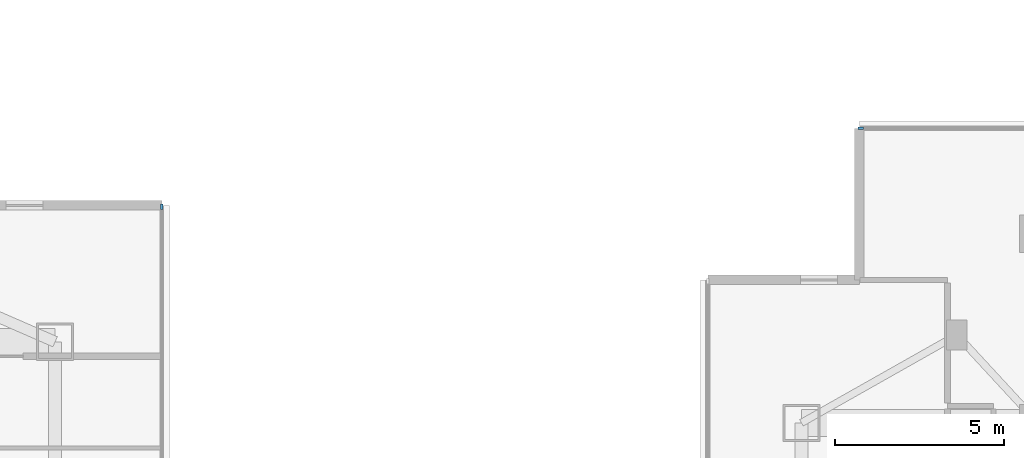
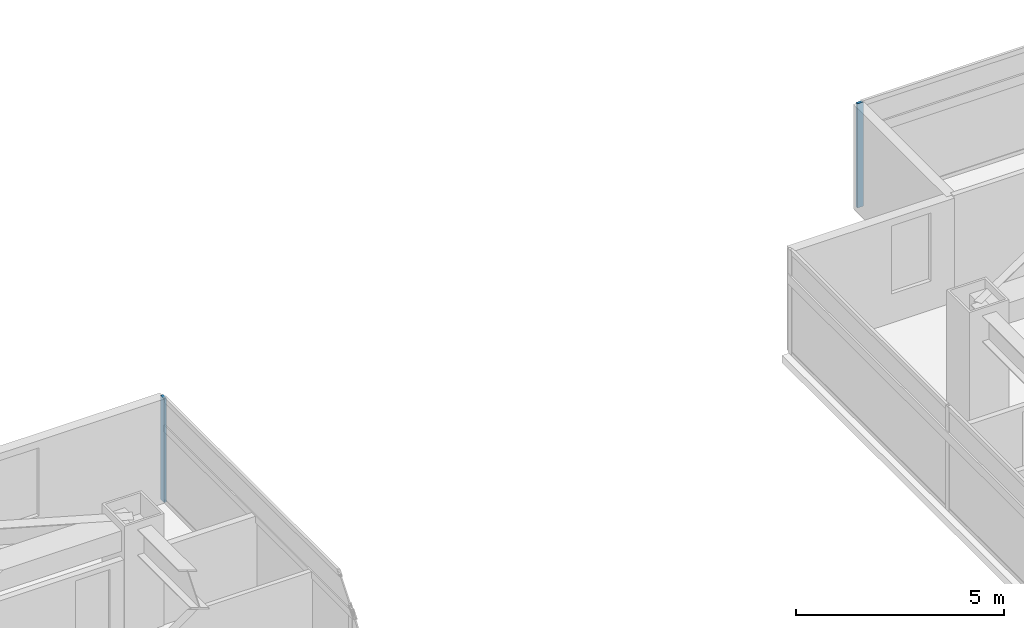
# One storey, part 7 of 24: 2 members, 2 elements without a shape of their own.
"""IFC4 building model written with IfcOpenShell, lengths in metres."""

from ifc_helpers import new_model, si_unit, direction, frame, origin, origin_2d, place, context, subcontext, project, spatial, rectangle, extrude, material, material_profile, profile_set, type_object, element, aggregate, save


model = new_model("IFC4")

# Units and contexts
model_context = context("Model", 3, precision=1e-05, world=origin(), true_north=direction((0.0, 1.0)))
body_context = subcontext(model_context, "Body", "Model", "MODEL_VIEW")
ifc_project = project(units=[si_unit("LENGTHUNIT", "METRE"), si_unit("AREAUNIT", "SQUARE_METRE"), si_unit("VOLUMEUNIT", "CUBIC_METRE"), si_unit("PLANEANGLEUNIT", "RADIAN"), si_unit("MASSUNIT", "GRAM", prefix="KILO")], contexts=[model_context])

# Site, building, storey
site_placement = place(None, origin())
site = spatial("IfcSite", under=ifc_project, at=site_placement, CompositionType="ELEMENT")
building_placement = place(site_placement, origin())
building = spatial("IfcBuilding", under=site, at=building_placement, Name="Mirazonda Arch Towers", CompositionType="ELEMENT")
storey_placement = place(building_placement, frame((0.0, 0.0, 137.89990234375)))
storey = spatial("IfcBuildingStorey", under=building, at=storey_placement, Name="L39", CompositionType="ELEMENT", Elevation=137.89990234375)

# Curtain wall, member
ifc_material_1 = material(Name="Anodised Aluminium and Low-E Glass", Category="aluminium")
curtain_wall_type = type_object("IfcCurtainWallType", Name="CW-HTL-UNIT", PredefinedType="NOTDEFINED", material=ifc_material_1)
curtain_wall_1_placement = place(storey_placement, origin())
curtain_wall_1 = element("IfcCurtainWall", 1, at=curtain_wall_1_placement, inside=storey, type_object=curtain_wall_type, Name="L39 T1 E Facade CW-L39-T1-E", PredefinedType="NOTDEFINED")
ifc_material_2 = material(Name="Anodised Aluminium Alloy", Category="aluminium")
ifc_material_profile = material_profile(ifc_material_2, rectangle(XDim=0.074951171875, YDim=0.1650390625, at=origin_2d()), Name="ALU-MULL-75x165")
ifc_profile_set = profile_set([ifc_material_profile], Name="Anodised Aluminium Alloy")
member_type = type_object("IfcMemberType", Name="MULL-CW-HTL-UNIT", PredefinedType="MULLION", material=ifc_profile_set)
member_1_placement = place(storey_placement, frame((42.06005859375, 41.6005859375, 0.0), z_axis=(0.0, 0.0, 1.0), x_axis=(-1.0, 0.0, 0.0)))
member_1 = element("IfcMember", 2, at=member_1_placement, type_object=member_type, Name="CW-112 mullion 4", PredefinedType="MULLION", context=body_context, shape_type="SweptSolid", body=[
    extrude(rectangle(XDim=0.074951171875, YDim=0.1650390625, at=origin_2d()), origin(), (0.0, 0.0, 1.0), 3.06005859375),
])
aggregate(curtain_wall_1, [member_1])

curtain_wall_2_placement = place(storey_placement, origin())
curtain_wall_2 = element("IfcCurtainWall", 3, at=curtain_wall_2_placement, inside=storey, type_object=curtain_wall_type, Name="L39 T2 N Facade CW-L39-T2-N", PredefinedType="NOTDEFINED")
member_2_placement = place(storey_placement, frame((62.7509765625, 43.918701171875, 0.0), z_axis=(0.0, 0.0, 1.0), x_axis=(0.0, 1.0, 0.0)))
member_2 = element("IfcMember", 4, at=member_2_placement, type_object=member_type, Name="CW-112 mullion 1", PredefinedType="MULLION", context=body_context, shape_type="SweptSolid", body=[
    extrude(rectangle(XDim=0.074951171875, YDim=0.1650390625, at=origin_2d()), origin(), (0.0, 0.0, 1.0), 3.06005859375),
])
aggregate(curtain_wall_2, [member_2])

save(model, "model.ifc")
